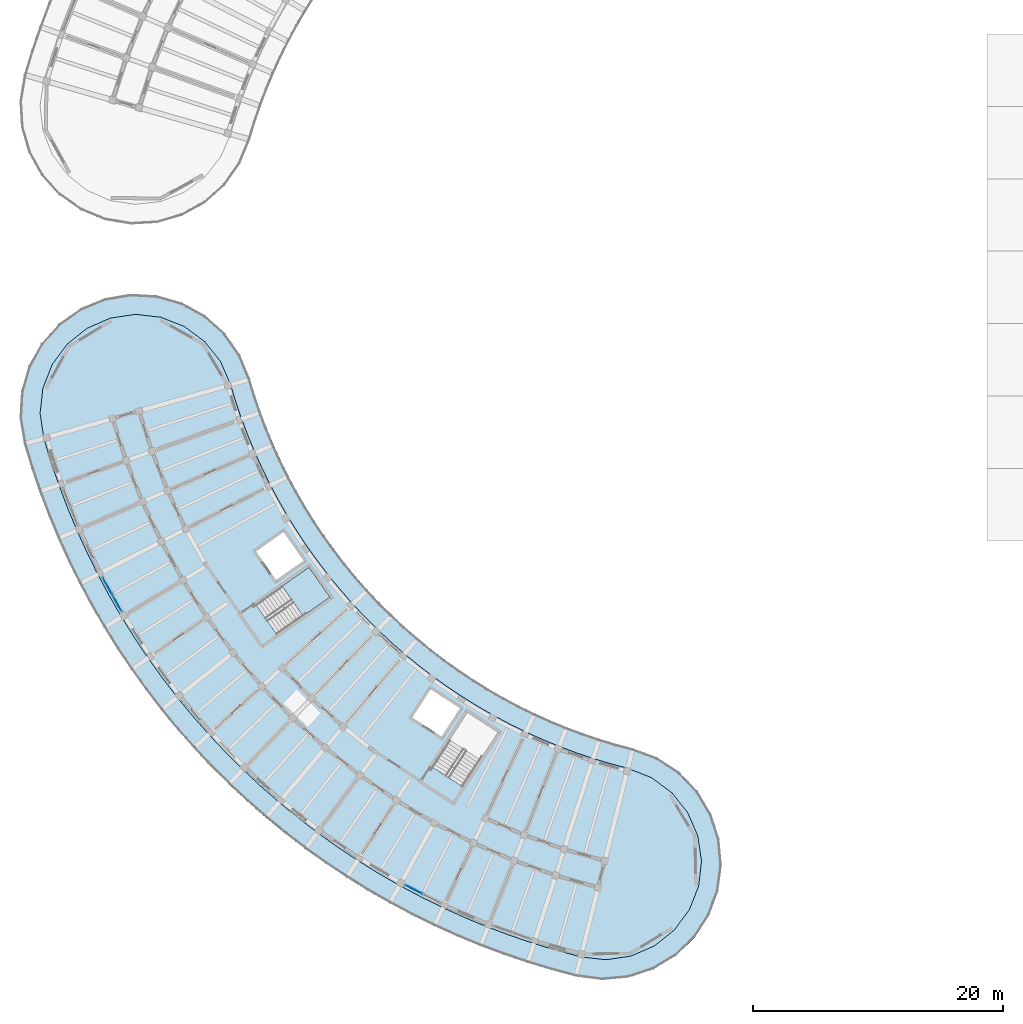
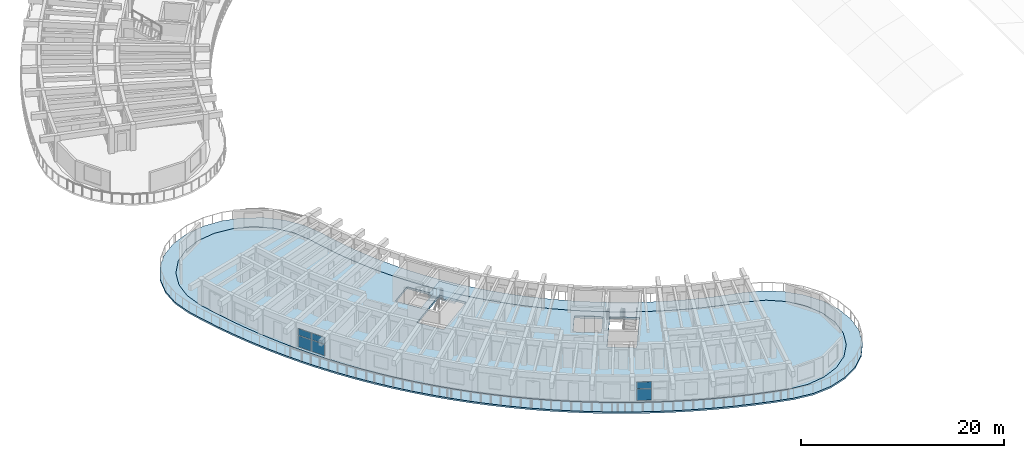
# One storey, part 43 of 96: 6 plates, 3 slabs, 3 elements without a shape of their own.
"""IFC4 building model written with IfcOpenShell, lengths in metres."""

from ifc_helpers import new_model, si_unit, direction, frame, origin, origin_2d, place, context, subcontext, project, spatial, polyline, rectangle, outline, extrude, material, layer, layer_set, type_object, element, aggregate, save


model = new_model("IFC4")

# Units and contexts
model_context = context("Model", 3, precision=1e-05, world=origin(), true_north=direction((0.0, 1.0)))
body_context = subcontext(model_context, "Body", "Model", "MODEL_VIEW")
ifc_project = project(units=[si_unit("LENGTHUNIT", "METRE"), si_unit("AREAUNIT", "SQUARE_METRE"), si_unit("VOLUMEUNIT", "CUBIC_METRE"), si_unit("PLANEANGLEUNIT", "RADIAN"), si_unit("MASSUNIT", "GRAM", prefix="KILO")], contexts=[model_context])

# Site, building, storey
site_placement = place(None, origin())
site = spatial("IfcSite", under=ifc_project, at=site_placement, CompositionType="ELEMENT")
building_placement = place(site_placement, origin())
building = spatial("IfcBuilding", under=site, at=building_placement, Name="Tanwirah Colonnade Gardens", CompositionType="ELEMENT")
storey_placement = place(building_placement, frame((0.0, 0.0, 12.199951171875)))
storey = spatial("IfcBuildingStorey", under=building, at=storey_placement, Name="L03", CompositionType="ELEMENT", Elevation=12.199951171875)

# Curtain wall, plates
ifc_material_1 = material(Name="Bronze-anodised aluminium and solar-control low-E glass", Category="aluminium")
curtain_wall_type = type_object("IfcCurtainWallType", Name="CW-LOB", PredefinedType="NOTDEFINED", material=ifc_material_1)
curtain_wall_1_placement = place(storey_placement, origin())
curtain_wall_1 = element("IfcCurtainWall", 1, at=curtain_wall_1_placement, inside=storey, type_object=curtain_wall_type, Name="Curtain Wall CW-C-L03-OUT-03", PredefinedType="NOTDEFINED")
ifc_material_2 = material(Name="Acoustic solar-control low-E double glazing", Category="glass")
ifc_layer_1 = layer(ifc_material_2, 0.031982421875)
ifc_layer_set_1 = layer_set([ifc_layer_1], Name="Acoustic solar-control low-E double glazing")
plate_type = type_object("IfcPlateType", Name="CWP-GLZ32", PredefinedType="CURTAIN_PANEL", material=ifc_layer_set_1)
plate_1_placement = place(storey_placement, frame((12.62939453125, 36.2099609375, 0.070068359375), z_axis=(0.0, 0.0, 1.0), x_axis=(0.486715095364, -0.873560768318, 0.0)))
plate_1 = element("IfcPlate", 2, at=plate_1_placement, type_object=plate_type, Name="CW-LOB panel 1.1", PredefinedType="CURTAIN_PANEL", context=body_context, shape_type="SweptSolid", body=[
    extrude(rectangle(XDim=1.4833984375, YDim=0.031982421875, at=origin_2d()), origin(), (0.0, 0.0, 1.0), 1.35498046875),
])
plate_2_placement = place(storey_placement, frame((12.62939453125, 36.2099609375, 1.4951171875), z_axis=(0.0, 0.0, 1.0), x_axis=(0.486715095364, -0.873560768318, 0.0)))
plate_2 = element("IfcPlate", 3, at=plate_2_placement, type_object=plate_type, Name="CW-LOB panel 1.2", PredefinedType="CURTAIN_PANEL", context=body_context, shape_type="SweptSolid", body=[
    extrude(rectangle(XDim=1.4833984375, YDim=0.031982421875, at=origin_2d()), origin(), (0.0, 0.0, 1.0), 0.789794921875),
])
plate_3_placement = place(storey_placement, frame((13.385498046875, 34.85302734375, 0.070068359375), z_axis=(0.0, 0.0, 1.0), x_axis=(0.486715095364, -0.873560768318, 0.0)))
plate_3 = element("IfcPlate", 4, at=plate_3_placement, type_object=plate_type, Name="CW-LOB panel 2.1", PredefinedType="CURTAIN_PANEL", context=body_context, shape_type="SweptSolid", body=[
    extrude(rectangle(XDim=1.4833984375, YDim=0.031982421875, at=origin_2d()), origin(), (0.0, 0.0, 1.0), 1.35498046875),
])
plate_4_placement = place(storey_placement, frame((13.385498046875, 34.85302734375, 1.4951171875), z_axis=(0.0, 0.0, 1.0), x_axis=(0.486715095364, -0.873560768318, 0.0)))
plate_4 = element("IfcPlate", 5, at=plate_4_placement, type_object=plate_type, Name="CW-LOB panel 2.2", PredefinedType="CURTAIN_PANEL", context=body_context, shape_type="SweptSolid", body=[
    extrude(rectangle(XDim=1.4833984375, YDim=0.031982421875, at=origin_2d()), origin(), (0.0, 0.0, 1.0), 0.789794921875),
])
aggregate(curtain_wall_1, [plate_1, plate_2, plate_3, plate_4])

curtain_wall_2_placement = place(storey_placement, origin())
curtain_wall_2 = element("IfcCurtainWall", 6, at=curtain_wall_2_placement, inside=storey, type_object=curtain_wall_type, Name="Curtain Wall CW-C-L03-OUT-12", PredefinedType="NOTDEFINED")
plate_5_placement = place(storey_placement, frame((37.17236328125, 11.882080078125, 0.070068359375), z_axis=(0.0, 0.0, 1.0), x_axis=(0.890014111869, -0.455932978269, 0.0)))
plate_5 = element("IfcPlate", 7, at=plate_5_placement, type_object=plate_type, Name="CW-LOB panel 1.1", PredefinedType="CURTAIN_PANEL", context=body_context, shape_type="SweptSolid", body=[
    extrude(rectangle(XDim=1.4833984375, YDim=0.031982421875, at=origin_2d()), origin(), (0.0, 0.0, 1.0), 1.35498046875),
])
plate_6_placement = place(storey_placement, frame((37.17236328125, 11.882080078125, 1.4951171875), z_axis=(0.0, 0.0, 1.0), x_axis=(0.890014111869, -0.455932978269, 0.0)))
plate_6 = element("IfcPlate", 8, at=plate_6_placement, type_object=plate_type, Name="CW-LOB panel 1.2", PredefinedType="CURTAIN_PANEL", context=body_context, shape_type="SweptSolid", body=[
    extrude(rectangle(XDim=1.4833984375, YDim=0.031982421875, at=origin_2d()), origin(), (0.0, 0.0, 1.0), 0.789794921875),
])
aggregate(curtain_wall_2, [plate_5, plate_6])

# Slab
ifc_material_3 = material(Name="White architectural precast concrete C40/50", Category="concrete")
ifc_layer_2 = layer(ifc_material_3, 0.199951171875)
ifc_layer_set_2 = layer_set([ifc_layer_2], Name="White architectural precast concrete C40/50")
slab_type_1 = type_object("IfcSlabType", Name="SL-BAL-200", PredefinedType="FLOOR", material=ifc_layer_set_2)
slab_1_placement = place(storey_placement, frame((0.0, 0.0, -0.199951171875)))
element("IfcSlab", 9, at=slab_1_placement, inside=storey, type_object=slab_type_1, Name="Block C L03 Continuous White Balcony Ribbon", PredefinedType="FLOOR", context=body_context, shape_type="SweptSolid", body=[
    extrude(outline(polyline([(23.2470703125, 54.70361328125), (22.03125, 56.421875), (20.46337890625, 57.826416015625), (18.62255859375, 58.846923828125), (16.6005859375, 59.43212890625), (14.4990234375, 59.552734375), (12.42333984375, 59.20263671875), (10.477783203125, 58.399658203125), (8.759521484375, 57.18359375), (7.35498046875, 55.615966796875), (6.33447265625, 53.77490234375), (5.749267578125, 51.7529296875), (5.62841796875, 49.651611328125), (5.978515625, 47.575927734375), (6.56396484375, 45.65380859375), (7.2119140625, 43.751953125), (7.921630859375, 41.872314453125), (8.692626953125, 40.016845703125), (9.523681640625, 38.1875), (10.414306640625, 36.386474609375), (11.363525390625, 34.61572265625), (12.369873046875, 32.876708984375), (13.432861328125, 31.171630859375), (14.55078125, 29.502197265625), (15.722900390625, 27.870361328125), (16.94775390625, 26.277587890625), (18.22412109375, 24.725830078125), (19.550537109375, 23.216796875), (20.92578125, 21.751708984375), (22.347900390625, 20.33251953125), (23.81591796875, 18.960693359375), (25.327880859375, 17.637451171875), (26.882568359375, 16.364501953125), (28.477783203125, 15.143310546875), (30.1123046875, 13.974609375), (31.7841796875, 12.860107421875), (33.491455078125, 11.801025390625), (35.232666015625, 10.79833984375), (37.005615234375, 9.85302734375), (38.80859375, 8.966552734375), (40.6396484375, 8.13916015625), (42.496826171875, 7.372314453125), (44.3779296875, 6.666748046875), (46.28125, 6.02294921875), (48.20458984375, 5.441650390625), (50.14599609375, 4.923828125), (52.232666015625, 4.646484375), (54.32861328125, 4.84033203125), (56.328857421875, 5.495849609375), (58.133056640625, 6.580078125), (59.65087890625, 8.038330078125), (60.80615234375, 9.798095703125), (61.540771484375, 11.7705078125), (61.818115234375, 13.857177734375), (61.624267578125, 15.953125), (60.96875, 17.953369140625), (59.884765625, 19.757568359375), (58.42626953125, 21.275390625), (56.666748046875, 22.4306640625), (54.694091796875, 23.165283203125), (53.34716796875, 23.524658203125), (52.0126953125, 23.927978515625), (50.692138671875, 24.37451171875), (49.386962890625, 24.8642578125), (48.0986328125, 25.396240234375), (46.828125, 25.97021484375), (45.5771484375, 26.58544921875), (44.34716796875, 27.2412109375), (43.13916015625, 27.93701171875), (41.95458984375, 28.671630859375), (40.794677734375, 29.445068359375), (39.66064453125, 30.255615234375), (38.5537109375, 31.10302734375), (37.47509765625, 31.986328125), (36.426025390625, 32.904296875), (35.407470703125, 33.856201171875), (34.420654296875, 34.8408203125), (33.466796875, 35.857177734375), (32.54638671875, 36.904296875), (31.660888671875, 37.98095703125), (30.81103515625, 39.0859375), (29.997802734375, 40.218017578125), (29.22216796875, 41.37646484375), (28.484619140625, 42.559326171875), (27.786376953125, 43.765869140625), (27.1279296875, 44.99462890625), (26.510009765625, 46.244140625), (25.933349609375, 47.51318359375), (25.3984375, 48.800537109375), (24.906005859375, 50.104736328125), (24.456298828125, 51.42431640625), (24.05029296875, 52.7578125), (23.2470703125, 54.70361328125)]), holes=[polyline([(21.68310546875, 54.173828125), (22.493408203125, 52.309814453125), (22.91455078125, 50.92724609375), (22.91455078125, 50.9267578125), (23.381103515625, 49.5576171875), (23.38134765625, 49.55712890625), (23.892333984375, 48.203857421875), (23.892578125, 48.203369140625), (24.447509765625, 46.86767578125), (24.44775390625, 46.866943359375), (25.046142578125, 45.55029296875), (25.04638671875, 45.549560546875), (25.6875, 44.253173828125), (25.687744140625, 44.25244140625), (26.37109375, 42.977783203125), (26.371337890625, 42.97705078125), (27.095947265625, 41.725341796875), (27.09619140625, 41.724853515625), (27.861328125, 40.497314453125), (27.86181640625, 40.496826171875), (28.66650390625, 39.294921875), (28.6669921875, 39.29443359375), (29.5107421875, 38.11962890625), (29.51123046875, 38.119140625), (30.392822265625, 36.97265625), (30.393310546875, 36.97216796875), (31.31201171875, 35.85498046875), (31.3125, 35.8544921875), (32.267333984375, 34.76806640625), (32.267822265625, 34.767578125), (33.257568359375, 33.713134765625), (33.258056640625, 33.712646484375), (34.281982421875, 32.69091796875), (34.282470703125, 32.690673828125), (35.339111328125, 31.702880859375), (35.339599609375, 31.70263671875), (36.42822265625, 30.75), (36.4287109375, 30.749755859375), (37.547607421875, 29.833251953125), (37.54833984375, 29.8330078125), (38.69677734375, 28.95361328125), (38.697265625, 28.953369140625), (39.873779296875, 28.112060546875), (39.874267578125, 28.111572265625), (41.077880859375, 27.309326171875), (41.078369140625, 27.30908203125), (42.307373046875, 26.546630859375), (42.30810546875, 26.54638671875), (43.5615234375, 25.824462890625), (43.56201171875, 25.82421875), (44.83837890625, 25.143798828125), (44.8388671875, 25.1435546875), (46.13671875, 24.505126953125), (46.137451171875, 24.5048828125), (47.45556640625, 23.909423828125), (47.4560546875, 23.9091796875), (48.79296875, 23.357177734375), (48.793701171875, 23.35693359375), (50.14794921875, 22.848876953125), (50.1484375, 22.8486328125), (51.5185546875, 22.38525390625), (51.519287109375, 22.385009765625), (52.90380859375, 21.966552734375), (52.904296875, 21.966552734375), (54.30078125, 21.593994140625), (56.19189453125, 20.84912109375), (57.824462890625, 19.640869140625), (59.088623046875, 18.051513671875), (59.8984375, 16.18896484375), (60.19873046875, 14.180419921875), (59.96875, 12.16259765625), (59.224365234375, 10.27294921875), (58.016357421875, 8.640380859375), (56.427001953125, 7.3759765625), (54.564453125, 6.566162109375), (52.555908203125, 6.265869140625), (50.536865234375, 6.49609375), (48.647705078125, 7.0), (46.775146484375, 7.565673828125), (44.922119140625, 8.192626953125), (43.090576171875, 8.879638671875), (41.282470703125, 9.626220703125), (39.499755859375, 10.431640625), (37.744384765625, 11.294921875), (36.01806640625, 12.21533203125), (34.322998046875, 13.19140625), (32.66064453125, 14.22265625), (31.03271484375, 15.3076171875), (29.44140625, 16.445556640625), (27.88818359375, 17.634521484375), (26.374755859375, 18.8740234375), (24.902587890625, 20.162109375), (23.473388671875, 21.497802734375), (22.088623046875, 22.879638671875), (20.749755859375, 24.305908203125), (19.458251953125, 25.775146484375), (18.215576171875, 27.2861328125), (17.023193359375, 28.836669921875), (15.8818359375, 30.425537109375), (14.79345703125, 32.051025390625), (13.758544921875, 33.7109375), (12.778564453125, 35.404052734375), (11.8544921875, 37.12841796875), (10.987548828125, 38.8818359375), (10.17822265625, 40.662841796875), (9.427490234375, 42.46923828125), (8.736572265625, 44.29931640625), (8.105712890625, 46.151123046875), (7.5361328125, 48.021240234375), (7.23583984375, 50.031005859375), (7.465576171875, 52.049072265625), (8.2099609375, 53.9384765625), (9.41796875, 55.5712890625), (11.007568359375, 56.83544921875), (12.869873046875, 57.645263671875), (14.878662109375, 57.945556640625), (16.896484375, 57.715576171875), (18.7861328125, 56.97119140625), (20.418701171875, 55.76318359375), (21.68310546875, 54.173828125)])]), origin(), (0.0, 0.0, 1.0), 0.199951171875),
])

# Stair, slab
ifc_material_4 = material(Name="Precast concrete C40/50", Category="concrete")
stair_type = type_object("IfcStairType", Name="ST-RES168", PredefinedType="HALF_TURN_STAIR", material=ifc_material_4)
stair_placement = place(storey_placement, origin())
stair = element("IfcStair", 10, at=stair_placement, inside=storey, type_object=stair_type, Name="L03 Block C Core 1 Exit Stair", PredefinedType="HALF_TURN_STAIR")
ifc_layer_3 = layer(ifc_material_4, 0.205078125)
ifc_layer_set_3 = layer_set([ifc_layer_3], Name="Precast concrete C40/50")
slab_type_2 = type_object("IfcSlabType", Name="SL-LND-205", PredefinedType="LANDING", material=ifc_layer_set_3)
slab_2_placement = place(storey_placement, frame((0.0, 0.0, 1.47509765625)))
slab_2 = element("IfcSlab", 11, at=slab_2_placement, type_object=slab_type_2, Name="ST-C1 landing 1", PredefinedType="LANDING", context=body_context, shape_type="SweptSolid", body=[
    extrude(outline(polyline([(28.290283203125, 33.79052734375), (30.448974609375, 35.3017578125), (28.77392578125, 37.69384765625), (26.615478515625, 36.182373046875), (28.290283203125, 33.79052734375)])), origin(), (0.0, 0.0, 1.0), 0.204833984375),
])
aggregate(stair, [slab_2])

# Slab
ifc_layer_4 = layer(ifc_material_4, 0.2548828125)
ifc_layer_set_4 = layer_set([ifc_layer_4], Name="Precast concrete C40/50")
slab_type_3 = type_object("IfcSlabType", Name="SL-RES-255", PredefinedType="FLOOR", material=ifc_layer_set_4)
slab_3_placement = place(storey_placement, frame((0.0, 0.0, -0.2548828125)))
element("IfcSlab", 12, at=slab_3_placement, inside=storey, type_object=slab_type_3, Name="Block C L03 Precast Composite Floor Slab", PredefinedType="FLOOR", context=body_context, shape_type="SweptSolid", body=[
    extrude(outline(polyline([(23.39990234375, 49.56396484375), (22.93359375, 50.93310546875), (22.51220703125, 52.31689453125), (21.7001953125, 54.18408203125), (20.4326171875, 55.777587890625), (18.7958984375, 56.98876953125), (16.9013671875, 57.735107421875), (14.878173828125, 57.965576171875), (12.864501953125, 57.664794921875), (10.9970703125, 56.852783203125), (9.403564453125, 55.585205078125), (8.1923828125, 53.948486328125), (7.446044921875, 52.053955078125), (7.215576171875, 50.03076171875), (7.5166015625, 48.016845703125), (8.086669921875, 46.14501953125), (8.7177734375, 44.29248046875), (9.408935546875, 42.4619140625), (10.159912109375, 40.65478515625), (10.969482421875, 38.873291015625), (11.836669921875, 37.119140625), (12.76123046875, 35.394287109375), (13.741455078125, 33.70068359375), (14.776611328125, 32.0400390625), (15.865478515625, 30.414306640625), (17.007080078125, 28.82470703125), (18.199951171875, 27.273681640625), (19.443115234375, 25.76220703125), (20.73486328125, 24.29248046875), (22.07421875, 22.86572265625), (23.45947265625, 21.4833984375), (24.88916015625, 20.1474609375), (26.36181640625, 18.858642578125), (27.875732421875, 17.618896484375), (29.4296875, 16.429443359375), (31.021484375, 15.291259765625), (32.649658203125, 14.205810546875), (34.312744140625, 13.17431640625), (36.00830078125, 12.19775390625), (37.735107421875, 11.277099609375), (39.4912109375, 10.41357421875), (41.2744140625, 9.60791015625), (43.083251953125, 8.861083984375), (44.91552734375, 8.173828125), (46.76904296875, 7.546630859375), (48.642333984375, 6.980712890625), (50.532958984375, 6.476318359375), (52.55615234375, 6.245849609375), (54.570068359375, 6.546875), (56.437255859375, 7.358642578125), (58.031005859375, 8.626220703125), (59.2421875, 10.26318359375), (59.98828125, 12.15771484375), (60.218994140625, 14.1806640625), (59.91796875, 16.194580078125), (59.10595703125, 18.06201171875), (57.83837890625, 19.655517578125), (56.20166015625, 20.86669921875), (54.30712890625, 21.613037109375), (52.90966796875, 21.98583984375), (51.52490234375, 22.404052734375), (50.15478515625, 22.867431640625), (48.800537109375, 23.37548828125), (47.4638671875, 23.927490234375), (46.145751953125, 24.523193359375), (44.84765625, 25.161376953125), (43.571533203125, 25.841796875), (42.318115234375, 26.563720703125), (41.0888671875, 27.326171875), (39.885498046875, 28.12841796875), (38.708740234375, 28.969482421875), (37.560302734375, 29.848876953125), (36.44140625, 30.76513671875), (35.352783203125, 31.717529296875), (34.296142578125, 32.705078125), (33.272216796875, 33.726806640625), (32.282470703125, 34.781494140625), (31.327392578125, 35.86767578125), (30.40869140625, 36.98486328125), (29.52685546875, 38.13134765625), (28.68310546875, 39.30615234375), (27.87841796875, 40.5078125), (27.11328125, 41.7353515625), (26.388671875, 42.987060546875), (25.705322265625, 44.261962890625), (25.064208984375, 45.55859375), (24.466064453125, 46.875244140625), (23.910888671875, 48.2109375), (23.39990234375, 49.56396484375)]), holes=[polyline([(24.5185546875, 34.71044921875), (28.775634765625, 37.69140625), (30.447021484375, 35.30419921875), (26.18994140625, 32.323486328125), (24.5185546875, 34.71044921875)]), polyline([(26.737060546875, 40.515869140625), (28.343017578125, 38.22216796875), (26.13134765625, 36.673583984375), (24.525390625, 38.967041015625), (26.737060546875, 40.515869140625)]), polyline([(43.900146484375, 24.486572265625), (41.069580078125, 20.1279296875), (38.625732421875, 21.715087890625), (41.4560546875, 26.073486328125), (43.900146484375, 24.486572265625)]), polyline([(39.385498046875, 24.13916015625), (37.037353515625, 25.664306640625), (38.5078125, 27.9287109375), (40.856201171875, 26.403564453125), (39.385498046875, 24.13916015625)])]), origin(), (0.0, 0.0, 1.0), 0.2548828125),
])

save(model, "model.ifc")
